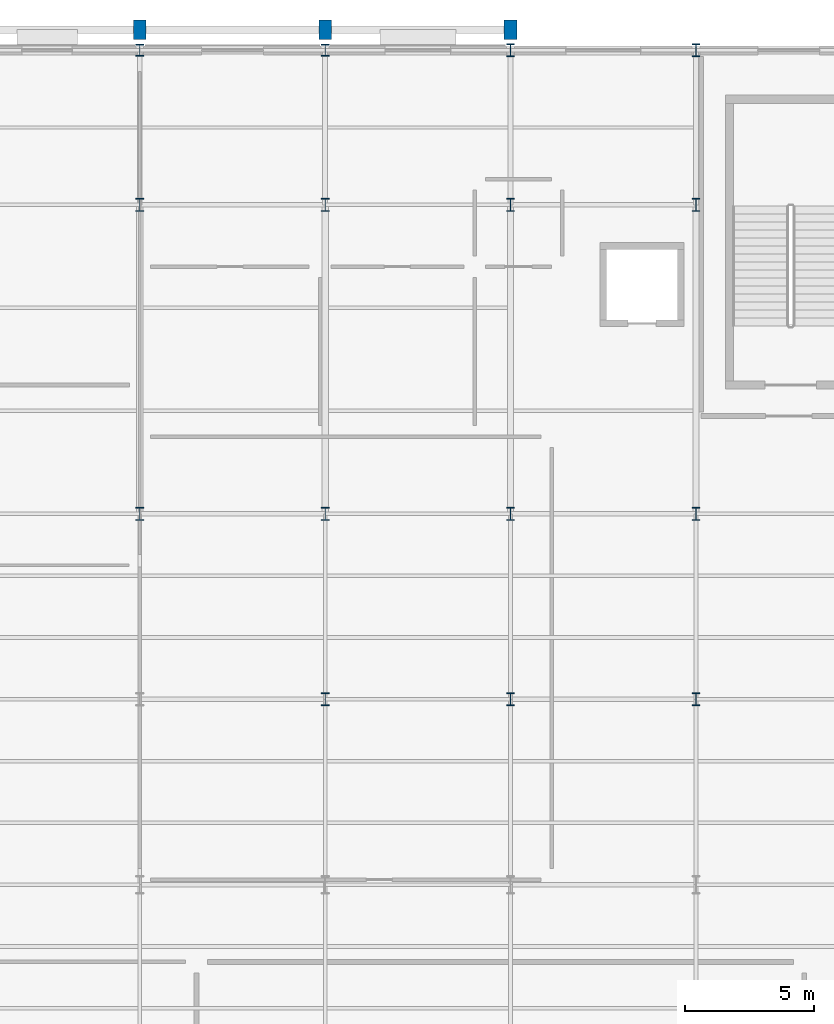
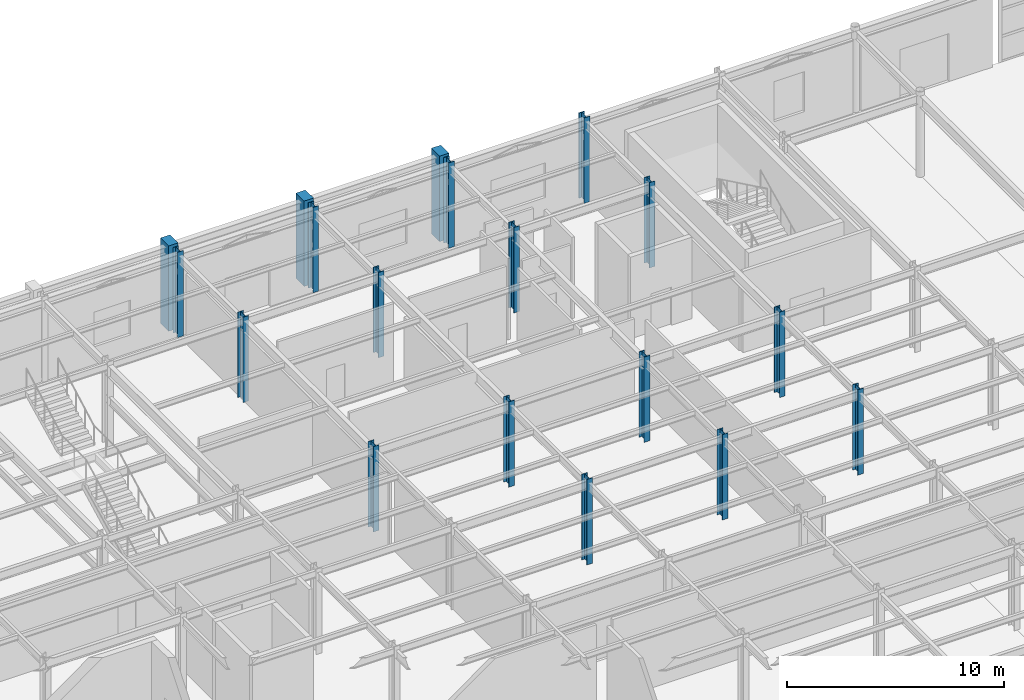
# One storey, part 11 of 83: 18 columns.
"""IFC4 building model written with IfcOpenShell, lengths in metres."""

from ifc_helpers import new_model, si_unit, direction, frame, origin, origin_2d, place, context, subcontext, project, spatial, rectangle, i_section, extrude, material, material_profile, profile_set, type_object, element, save


model = new_model("IFC4")

# Units and contexts
model_context = context("Model", 3, precision=1e-05, world=origin(), true_north=direction((0.0, 1.0)))
body_context = subcontext(model_context, "Body", "Model", "MODEL_VIEW")
ifc_project = project(units=[si_unit("LENGTHUNIT", "METRE"), si_unit("AREAUNIT", "SQUARE_METRE"), si_unit("VOLUMEUNIT", "CUBIC_METRE"), si_unit("PLANEANGLEUNIT", "RADIAN"), si_unit("MASSUNIT", "GRAM", prefix="KILO")], contexts=[model_context])

# Site, building, storey
site_placement = place(None, origin())
site = spatial("IfcSite", under=ifc_project, at=site_placement, CompositionType="ELEMENT")
building_placement = place(site_placement, origin())
building = spatial("IfcBuilding", under=site, at=building_placement, Name="Solvadek Multi-Sports Hall", CompositionType="ELEMENT")
storey_placement = place(building_placement, origin())
storey = spatial("IfcBuildingStorey", under=building, at=storey_placement, Name="L00", CompositionType="ELEMENT", Elevation=0.0)

# Columns
ifc_material_1 = material(Name="Steel E350 (350 MPa)", Category="steel")
ifc_material_profile_1 = material_profile(ifc_material_1, i_section(OverallWidth=0.300048828125, OverallDepth=0.449951171875, WebThickness=0.013916015625, FlangeThickness=0.02587890625, at=origin_2d()), Name="WPB 450")
ifc_profile_set_1 = profile_set([ifc_material_profile_1], Name="Steel E350 (350 MPa)")
column_type_1 = type_object("IfcColumnType", Name="STR-COL-WPB450", PredefinedType="COLUMN", material=ifc_profile_set_1)
for number, where, z_axis, x_axis, name in (
    (1, (36.0, 110.39990234375, 0.0), (0.0, 0.0, 1.0), (1.0, 0.0, 0.0), "L00 Column C-06 #80"),
    (2, (43.199951171875, 110.39990234375, 0.0), (0.0, 0.0, 1.0), (1.0, 0.0, 0.0), "L00 Column C-06 #96"),
):
    element("IfcColumn", number, at=place(storey_placement, frame(where, z_axis=z_axis, x_axis=x_axis)), inside=storey, type_object=column_type_1, Name=name, PredefinedType="COLUMN", context=body_context, shape_type="SweptSolid", body=[
        extrude(i_section(OverallWidth=0.300048828125, OverallDepth=0.449951171875, WebThickness=0.013916015625, FlangeThickness=0.02587890625, at=origin_2d()), origin(), (0.0, 0.0, 1.0), 4.800048828125),
    ])
ifc_material_profile_2 = material_profile(ifc_material_1, i_section(OverallWidth=0.300048828125, OverallDepth=0.5, WebThickness=0.014404296875, FlangeThickness=0.028076171875, at=origin_2d()), Name="WPB 500")
ifc_profile_set_2 = profile_set([ifc_material_profile_2], Name="Steel E350 (350 MPa)")
column_type_2 = type_object("IfcColumnType", Name="STR-COL-WPB500", PredefinedType="COLUMN", material=ifc_profile_set_2)
for number, where, z_axis, x_axis, name in (
    (3, (36.0, 92.39990234375, 0.0), (0.0, 0.0, 1.0), (1.0, 0.0, 0.0), "L00 Column C-05 #78"),
    (4, (36.0, 104.39990234375, 0.0), (0.0, 0.0, 1.0), (1.0, 0.0, 0.0), "L00 Column C-05 #79"),
    (5, (43.199951171875, 85.199951171875, 0.0), (0.0, 0.0, 1.0), (1.0, 0.0, 0.0), "L00 Column C-05 #93"),
    (6, (43.199951171875, 92.39990234375, 0.0), (0.0, 0.0, 1.0), (1.0, 0.0, 0.0), "L00 Column C-05 #94"),
    (7, (43.199951171875, 104.39990234375, 0.0), (0.0, 0.0, 1.0), (1.0, 0.0, 0.0), "L00 Column C-05 #95"),
    (8, (50.39990234375, 85.199951171875, 0.0), (0.0, 0.0, 1.0), (1.0, 0.0, 0.0), "L00 Column C-05 #109"),
    (9, (50.39990234375, 92.39990234375, 0.0), (0.0, 0.0, 1.0), (1.0, 0.0, 0.0), "L00 Column C-05 #110"),
    (10, (50.39990234375, 104.39990234375, 0.0), (0.0, 0.0, 1.0), (1.0, 0.0, 0.0), "L00 Column C-05 #111"),
    (11, (50.39990234375, 110.39990234375, 0.0), (0.0, 0.0, 1.0), (1.0, 0.0, 0.0), "L00 Column C-05 #112"),
    (12, (57.60009765625, 85.199951171875, 0.0), (0.0, 0.0, 1.0), (1.0, 0.0, 0.0), "L00 Column C-05 #125"),
    (13, (57.60009765625, 92.39990234375, 0.0), (0.0, 0.0, 1.0), (1.0, 0.0, 0.0), "L00 Column C-05 #126"),
    (14, (57.60009765625, 104.39990234375, 0.0), (0.0, 0.0, 1.0), (1.0, 0.0, 0.0), "L00 Column C-05 #127"),
    (15, (57.60009765625, 110.39990234375, 0.0), (0.0, 0.0, 1.0), (1.0, 0.0, 0.0), "L00 Column C-05 #128"),
):
    element("IfcColumn", number, at=place(storey_placement, frame(where, z_axis=z_axis, x_axis=x_axis)), inside=storey, type_object=column_type_2, Name=name, PredefinedType="COLUMN", context=body_context, shape_type="SweptSolid", body=[
        extrude(i_section(OverallWidth=0.300048828125, OverallDepth=0.5, WebThickness=0.014404296875, FlangeThickness=0.028076171875, at=origin_2d()), origin(), (0.0, 0.0, 1.0), 4.800048828125),
    ])
ifc_material_2 = material(Name="Precast concrete M40", Category="concrete")
ifc_material_profile_3 = material_profile(ifc_material_2, rectangle(XDim=0.5, YDim=0.75, at=origin_2d()), Name="RC PILASTER 750x500")
ifc_profile_set_3 = profile_set([ifc_material_profile_3], Name="Precast concrete M40")
column_type_3 = type_object("IfcColumnType", Name="STR-PIL-750X500", PredefinedType="PILASTER", material=ifc_profile_set_3)
for number, where, z_axis, x_axis, name in (
    (16, (36.0, 111.199951171875, 0.0), (0.0, 0.0, 1.0), (1.0, 0.0, 0.0), "L00 Column CP-02 #320"),
    (17, (43.199951171875, 111.199951171875, 0.0), (0.0, 0.0, 1.0), (1.0, 0.0, 0.0), "L00 Column CP-02 #321"),
    (18, (50.39990234375, 111.199951171875, 0.0), (0.0, 0.0, 1.0), (1.0, 0.0, 0.0), "L00 Column CP-02 #322"),
):
    element("IfcColumn", number, at=place(storey_placement, frame(where, z_axis=z_axis, x_axis=x_axis)), inside=storey, type_object=column_type_3, Name=name, PredefinedType="PILASTER", context=body_context, shape_type="SweptSolid", body=[
        extrude(rectangle(XDim=0.5, YDim=0.75, at=origin_2d()), origin(), (0.0, 0.0, 1.0), 4.800048828125),
    ])

save(model, "model.ifc")
